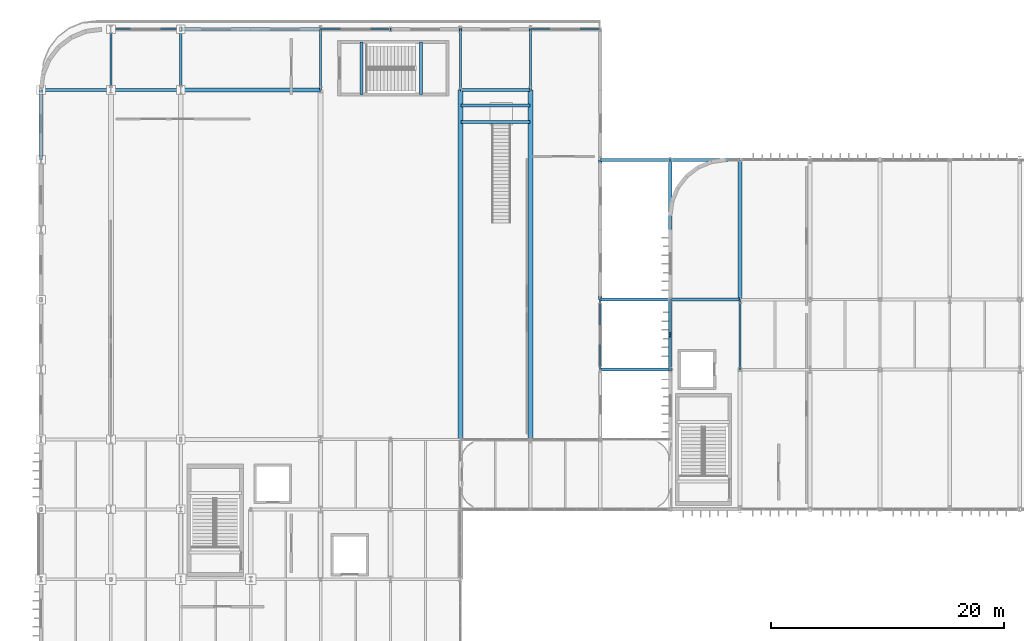
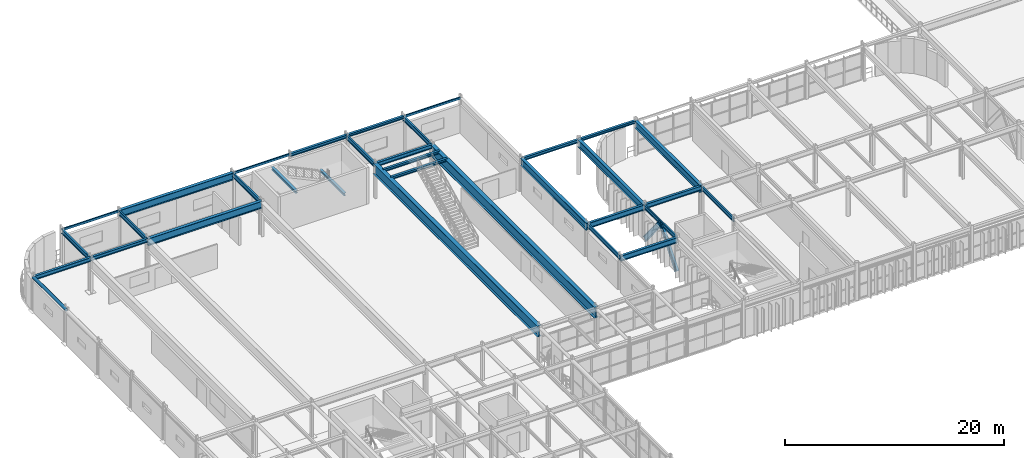
# One storey, part 65 of 116: 33 beams, 2 members.
"""IFC4 building model written with IfcOpenShell, lengths in metres."""

import ifcopenshell
import ifcopenshell.guid

model = None  # the IFC model being written
_history = None  # IfcOwnerHistory: only IFC2X3 demands one
_inside = {}  # id of a spatial element -> (the spatial element, [elements in it])
_under = {}  # id of a project, library or spatial element -> (it, [spatial elements below it])
_declared = {}  # id of a project -> (the project, [libraries it declares])
_typed = {}  # id of a type object -> (the type object, [elements of that type])
_made_of = {}  # id of a material, layer set ... -> (it, [elements and type objects made of it])


def new_model(schema):
    """Start an empty IFC model of exactly this schema.

    Asked for "IFC4X3", IfcOpenShell would pick the latest addendum, in which some entities
    have other attributes; the version numbers below select the first issue.
    IFC2X3 requires an IfcOwnerHistory on every rooted entity: one is made here for all.
    """
    global model, _history
    if schema == "IFC4X3":
        model = ifcopenshell.file(schema_version=(4, 3, 0, 0))
    else:
        model = ifcopenshell.file(schema=schema)
    _inside.clear()
    _under.clear()
    _declared.clear()
    _typed.clear()
    _made_of.clear()
    _history = None
    if model.schema == "IFC2X3":
        org = make("IfcOrganization", Name="unknown")
        user = make(
            "IfcPersonAndOrganization",
            ThePerson=make("IfcPerson", FamilyName="unknown"),
            TheOrganization=org,
        )
        app = make(
            "IfcApplication",
            ApplicationDeveloper=org,
            Version="unknown",
            ApplicationFullName="unknown",
            ApplicationIdentifier="unknown",
        )
        _history = make(
            "IfcOwnerHistory",
            OwningUser=user,
            OwningApplication=app,
            ChangeAction="ADDED",
            CreationDate=0,
        )
    return model


def make(cls, **values):
    """One entity of the class cls with the attributes given. An attribute that is None is left unset."""
    return model.create_entity(
        cls, **{name: value for name, value in values.items() if value is not None}
    )


def rooted(cls, **values):
    """An entity with a GlobalId (a new one), such as an element, a storey or a relation."""
    return make(cls, GlobalId=ifcopenshell.guid.new(), OwnerHistory=_history, **values)


def si_unit(unit_type, name, prefix=None):
    """IfcSIUnit, for example si_unit("LENGTHUNIT", "METRE", prefix="MILLI")."""
    return make("IfcSIUnit", UnitType=unit_type, Prefix=prefix, Name=name)


def assignment(units):
    """IfcUnitAssignment: the units of a project."""
    return None if units is None else make("IfcUnitAssignment", Units=units)


def point(xyz):
    """IfcCartesianPoint."""
    return None if xyz is None else make("IfcCartesianPoint", Coordinates=xyz)


def direction(xyz):
    """IfcDirection."""
    return None if xyz is None else make("IfcDirection", DirectionRatios=xyz)


def frame(location, z_axis=None, x_axis=None):
    """IfcAxis2Placement3D, a coordinate frame: its origin and axes. An axis left out is left unset."""
    return make(
        "IfcAxis2Placement3D",
        Location=point(location),
        Axis=direction(z_axis),
        RefDirection=direction(x_axis),
    )


def frame_2d(location, x_axis=None):
    """IfcAxis2Placement2D, a coordinate frame in the plane: its origin and x axis."""
    return make(
        "IfcAxis2Placement2D", Location=point(location), RefDirection=direction(x_axis)
    )


def origin():
    """The frame at (0, 0, 0) with its axes left unset."""
    return frame((0.0, 0.0, 0.0))


def origin_2d():
    """The frame at (0, 0) in the plane with its x axis left unset."""
    return frame_2d((0.0, 0.0))


def place(relative_to, where):
    """IfcLocalPlacement: puts the frame where relative to a parent placement (None: the world)."""
    return make(
        "IfcLocalPlacement", PlacementRelTo=relative_to, RelativePlacement=where
    )


def context(
    kind, dimensions, precision=None, world=None, true_north=None, identifier=None
):
    """IfcGeometricRepresentationContext, for example the 3D "Model" context."""
    return make(
        "IfcGeometricRepresentationContext",
        ContextIdentifier=identifier,
        ContextType=kind,
        CoordinateSpaceDimension=dimensions,
        Precision=precision,
        WorldCoordinateSystem=world,
        TrueNorth=true_north,
    )


def subcontext(parent, identifier, kind, view, scale=None):
    """IfcGeometricRepresentationSubContext, for example "Body" below "Model"."""
    return make(
        "IfcGeometricRepresentationSubContext",
        ContextIdentifier=identifier,
        ContextType=kind,
        ParentContext=parent,
        TargetScale=scale,
        TargetView=view,
    )


def project(units=None, contexts=None):
    """IfcProject with its units and contexts."""
    return rooted(
        "IfcProject",
        Name="project",
        RepresentationContexts=contexts,
        UnitsInContext=assignment(units),
    )


def spatial(cls, under=None, at=None, **own):
    """A site, building, storey or space (cls), placed at a placement, below another one or the project."""
    s = rooted(cls, ObjectPlacement=at, **own)
    if under is not None:
        _under.setdefault(under.id(), (under, []))[1].append(s)
    return s


def profile(cls, at=None, kind="AREA", **sizes):
    """A parametric profile (cls). Its sizes go by their IFC names, for example OverallWidth=200.0."""
    return make(cls, ProfileType=kind, Position=at, **sizes)


def hollow_rectangle(**sizes):
    """IfcRectangleHollowProfileDef."""
    return profile("IfcRectangleHollowProfileDef", **sizes)


def hollow_circle(**sizes):
    """IfcCircleHollowProfileDef."""
    return profile("IfcCircleHollowProfileDef", **sizes)


def i_section(**sizes):
    """IfcIShapeProfileDef."""
    return profile("IfcIShapeProfileDef", **sizes)


def extrude(swept, where, along, depth):
    """IfcExtrudedAreaSolid: the profile swept, set in the frame where, extruded along a direction by depth."""
    return make(
        "IfcExtrudedAreaSolid",
        SweptArea=swept,
        Position=where,
        ExtrudedDirection=direction(along),
        Depth=depth,
    )


def shape(context_of_items, identifier, shape_type, items):
    """IfcShapeRepresentation: the items that make up one representation, for example the "Body"."""
    return make(
        "IfcShapeRepresentation",
        ContextOfItems=context_of_items,
        RepresentationIdentifier=identifier,
        RepresentationType=shape_type,
        Items=items,
    )


def material(Name=None, Category=None):
    """IfcMaterial."""
    return make("IfcMaterial", Name=Name, Category=Category)


def material_profile(
    of_material, cross_section, Name=None, Category=None, Priority=None
):
    """IfcMaterialProfile: a cross section and its material."""
    return make(
        "IfcMaterialProfile",
        Name=Name,
        Material=of_material,
        Profile=cross_section,
        Priority=Priority,
        Category=Category,
    )


def profile_set(profiles, Name=None, composite=None):
    """IfcMaterialProfileSet."""
    return make(
        "IfcMaterialProfileSet",
        Name=Name,
        MaterialProfiles=profiles,
        CompositeProfile=composite,
    )


def made_of(thing, what):
    """Note that an element or type object is made of a material, layer set ...; save() writes the relation."""
    if what is not None:
        _made_of.setdefault(what.id(), (what, []))[1].append(thing)
    return thing


def type_object(cls, material=None, **own):
    """A type object (cls), such as IfcWallType, which elements share."""
    return made_of(rooted(cls, **own), material)


def element(
    cls,
    number,
    at=None,
    inside=None,
    cuts=None,
    type_object=None,
    material=None,
    context=None,
    identifier="Body",
    shape_type=None,
    held_by="IfcProductDefinitionShape",
    body=None,
    shapes=None,
    **own,
):
    """One element of the class cls, such as IfcWall. Its Tag is "e" and its number.

    at: its placement. inside: the storey or other place that contains it. cuts: it is an
    opening in that element (IfcRelVoidsElement). A single representation is given by context,
    identifier, shape_type and body (its items); several are given by shapes. held_by: the class
    of the entity that holds the representations. save() writes the other relations.
    """
    e = rooted(cls, Tag="e%d" % number, ObjectPlacement=at, **own)
    if body is not None:
        shapes = [shape(context, identifier, shape_type, body)]
    if shapes is not None:
        e.Representation = make(held_by, Representations=shapes)
    if inside is not None:
        _inside.setdefault(inside.id(), (inside, []))[1].append(e)
    if cuts is not None:
        rooted(
            "IfcRelVoidsElement", RelatingBuildingElement=cuts, RelatedOpeningElement=e
        )
    if type_object is not None:
        _typed.setdefault(type_object.id(), (type_object, []))[1].append(e)
    return made_of(e, material)


def aggregate(whole, parts):
    """IfcRelAggregates: a whole, such as a stair, and the parts it consists of."""
    return rooted("IfcRelAggregates", RelatingObject=whole, RelatedObjects=parts)


def save(model, path):
    """Write the relations noted so far, then the file.

    IfcRelAggregates (storeys below a building ...), IfcRelContainedInSpatialStructure (elements
    in a storey), IfcRelDefinesByType, IfcRelAssociatesMaterial and IfcRelDeclares: one each for
    every whole, place, type object, material and project.
    """
    for whole, parts in _under.values():
        aggregate(whole, parts)
    for where, things in _inside.values():
        rooted(
            "IfcRelContainedInSpatialStructure",
            RelatedElements=things,
            RelatingStructure=where,
        )
    for kind, things in _typed.values():
        rooted("IfcRelDefinesByType", RelatedObjects=things, RelatingType=kind)
    for what, things in _made_of.values():
        rooted("IfcRelAssociatesMaterial", RelatedObjects=things, RelatingMaterial=what)
    for by, libraries in _declared.values():
        rooted("IfcRelDeclares", RelatingContext=by, RelatedDefinitions=libraries)
    model.write(path)


model = new_model("IFC4")

# Units and contexts
model_context = context("Model", 3, precision=1e-05, world=origin(), true_north=direction((0.0, 1.0)))
body_context = subcontext(model_context, "Body", "Model", "MODEL_VIEW")
ifc_project = project(units=[si_unit("LENGTHUNIT", "METRE"), si_unit("AREAUNIT", "SQUARE_METRE"), si_unit("VOLUMEUNIT", "CUBIC_METRE"), si_unit("PLANEANGLEUNIT", "RADIAN"), si_unit("MASSUNIT", "GRAM", prefix="KILO")], contexts=[model_context])

# Site, building, storey
site_placement = place(None, origin())
site = spatial("IfcSite", under=ifc_project, at=site_placement, CompositionType="ELEMENT")
building_placement = place(site_placement, origin())
building = spatial("IfcBuilding", under=site, at=building_placement, Name="Varnakota Square Police Headquarters", CompositionType="ELEMENT")
storey_placement = place(building_placement, frame((0.0, 0.0, 9.300048828125)))
storey = spatial("IfcBuildingStorey", under=building, at=storey_placement, Name="L02", CompositionType="ELEMENT", Elevation=9.300048828125)

# Beams
ifc_material = material(Name="Steel IS 2062 Grade 350", Category="steel")
ifc_material_profile_1 = material_profile(ifc_material, hollow_circle(Radius=0.161865234375, WallThickness=0.0126953125, at=origin_2d()), Name="CHS 323.9x12.7")
ifc_profile_set_1 = profile_set([ifc_material_profile_1], Name="Steel IS 2062 Grade 350")
beam_type_1 = type_object("IfcBeamType", Name="BM-ARC-CHS324", PredefinedType="BEAM", material=ifc_profile_set_1)
beam_1_placement = place(storey_placement, frame((6.0, 99.0, 3.738037109375), z_axis=(0.0, 1.0, 0.0), x_axis=(-1.0, 0.0, 0.0)))
element("IfcBeam", 1, at=beam_1_placement, inside=storey, type_object=beam_type_1, Name="BMG-L02-2117", PredefinedType="BEAM", context=body_context, shape_type="SweptSolid", body=[
    extrude(hollow_circle(Radius=0.161865234375, WallThickness=0.0126953125, at=origin_2d()), origin(), (0.0, 0.0, 1.0), 6.0),
])
ifc_material_profile_2 = material_profile(ifc_material, i_section(OverallWidth=0.419921875, OverallDepth=1.199951171875, WebThickness=0.02197265625, FlangeThickness=0.034912109375, at=origin_2d()), Name="BPG 1200x420")
ifc_profile_set_2 = profile_set([ifc_material_profile_2], Name="Steel IS 2062 Grade 350")
beam_type_2 = type_object("IfcBeamType", Name="BM-BPG1200", PredefinedType="BEAM", material=ifc_profile_set_2)
for number, where, z_axis, x_axis, name in (
    (2, (42.0, 75.0, 3.300048828125), (0.0, 1.0, 0.0), (-1.0, 0.0, 0.0), "Clear-span hall girder L02 X=42"),
    (3, (48.0, 75.0, 3.300048828125), (0.0, 1.0, 0.0), (-1.0, 0.0, 0.0), "Clear-span hall girder L02 X=48"),
):
    element("IfcBeam", number, at=place(storey_placement, frame(where, z_axis=z_axis, x_axis=x_axis)), inside=storey, type_object=beam_type_2, Name=name, PredefinedType="BEAM", context=body_context, shape_type="SweptSolid", body=[
        extrude(i_section(OverallWidth=0.419921875, OverallDepth=1.199951171875, WebThickness=0.02197265625, FlangeThickness=0.034912109375, at=origin_2d()), origin(), (0.0, 0.0, 1.0), 30.0),
    ])
ifc_material_profile_3 = material_profile(ifc_material, i_section(OverallWidth=0.320068359375, OverallDepth=0.800048828125, WebThickness=0.01611328125, FlangeThickness=0.028076171875, at=origin_2d()), Name="BPG 800x320")
ifc_profile_set_3 = profile_set([ifc_material_profile_3], Name="Steel IS 2062 Grade 350")
beam_type_3 = type_object("IfcBeamType", Name="BM-BPG800", PredefinedType="BEAM", material=ifc_profile_set_3)
for number, where, z_axis, x_axis, name in (
    (4, (18.0, 105.0, 3.5), (1.0, 0.0, 0.0), (0.0, 1.0, 0.0), "BMG-L02-2083"),
    (5, (18.0, 110.199951171875, 3.5), (1.0, 0.0, 0.0), (0.0, 1.0, 0.0), "BMG-L02-2091"),
    (6, (54.0, 87.0, 3.5), (0.0, 1.0, 0.0), (-1.0, 0.0, 0.0), "BMG-L02-2206"),
    (7, (60.0, 87.0, 3.5), (0.0, 1.0, 0.0), (-1.0, 0.0, 0.0), "BMG-L02-2210"),
    (8, (66.0, 87.0, 3.5), (0.0, 1.0, 0.0), (-1.0, 0.0, 0.0), "BMG-L02-2213"),
):
    element("IfcBeam", number, at=place(storey_placement, frame(where, z_axis=z_axis, x_axis=x_axis)), inside=storey, type_object=beam_type_3, Name=name, PredefinedType="BEAM", context=body_context, shape_type="SweptSolid", body=[
        extrude(i_section(OverallWidth=0.320068359375, OverallDepth=0.800048828125, WebThickness=0.01611328125, FlangeThickness=0.028076171875, at=origin_2d()), origin(), (0.0, 0.0, 1.0), 12.0),
    ])
ifc_material_profile_4 = material_profile(ifc_material, hollow_rectangle(XDim=0.14990234375, YDim=0.25, WallThickness=0.010009765625, InnerFilletRadius=0.010009765625, OuterFilletRadius=0.02001953125, at=origin_2d()), Name="RHS 250x150x10")
ifc_profile_set_4 = profile_set([ifc_material_profile_4], Name="Steel IS 2062 Grade 350")
beam_type_4 = type_object("IfcBeamType", Name="BM-CBEAM-RHS250", PredefinedType="BEAM", material=ifc_profile_set_4)
for number, where, z_axis, x_axis, name in (
    (9, (12.0, 110.199951171875, 3.77490234375), (1.0, 0.0, 0.0), (0.0, 1.0, 0.0), "BMG-L02-2090"),
    (10, (30.0, 110.199951171875, 3.77490234375), (1.0, 0.0, 0.0), (0.0, 1.0, 0.0), "BMG-L02-2092"),
    (11, (48.0, 110.199951171875, 3.77490234375), (1.0, 0.0, 0.0), (0.0, 1.0, 0.0), "BMG-L02-2095"),
):
    element("IfcBeam", number, at=place(storey_placement, frame(where, z_axis=z_axis, x_axis=x_axis)), inside=storey, type_object=beam_type_4, Name=name, PredefinedType="BEAM", context=body_context, shape_type="SweptSolid", body=[
        extrude(hollow_rectangle(XDim=0.14990234375, YDim=0.25, WallThickness=0.010009765625, InnerFilletRadius=0.010009765625, OuterFilletRadius=0.02001953125, at=origin_2d()), origin(), (0.0, 0.0, 1.0), 6.0),
    ])
ifc_material_profile_5 = material_profile(ifc_material, i_section(OverallWidth=0.25, OverallDepth=0.300048828125, WebThickness=0.009521484375, FlangeThickness=0.010498046875, FilletRadius=0.011962890625, at=origin_2d()), Name="ISHB 300")
ifc_profile_set_5 = profile_set([ifc_material_profile_5], Name="Steel IS 2062 Grade 350")
beam_type_5 = type_object("IfcBeamType", Name="BM-ISHB300", PredefinedType="BEAM", material=ifc_profile_set_5)
for number, where, z_axis, x_axis, name in (
    (12, (60.0, 99.0, 3.75), (1.0, 0.0, 0.0), (0.0, 1.0, 0.0), "BMG-L02-2068"),
    (13, (42.0, 110.199951171875, 3.75), (1.0, 0.0, 0.0), (0.0, 1.0, 0.0), "BMG-L02-2094"),
):
    element("IfcBeam", number, at=place(storey_placement, frame(where, z_axis=z_axis, x_axis=x_axis)), inside=storey, type_object=beam_type_5, Name=name, PredefinedType="BEAM", context=body_context, shape_type="SweptSolid", body=[
        extrude(i_section(OverallWidth=0.25, OverallDepth=0.300048828125, WebThickness=0.009521484375, FlangeThickness=0.010498046875, FilletRadius=0.011962890625, at=origin_2d()), origin(), (0.0, 0.0, 1.0), 6.0),
    ])
for number, where, z_axis, x_axis, name in (
    (14, (42.050048828125, 102.25, 3.849853515625), (1.0, 0.0, 0.0), (0.0, 1.0, 0.0), "Gymnasium stair landing front trimmer L02"),
    (15, (42.050048828125, 103.64990234375, 3.849853515625), (1.0, 0.0, 0.0), (0.0, 1.0, 0.0), "Gymnasium stair landing rear trimmer L02"),
):
    element("IfcBeam", number, at=place(storey_placement, frame(where, z_axis=z_axis, x_axis=x_axis)), inside=storey, type_object=beam_type_5, Name=name, PredefinedType="BEAM", context=body_context, shape_type="SweptSolid", body=[
        extrude(i_section(OverallWidth=0.25, OverallDepth=0.300048828125, WebThickness=0.009521484375, FlangeThickness=0.010498046875, FilletRadius=0.011962890625, at=origin_2d()), origin(), (0.0, 0.0, 1.0), 5.89990234375),
    ])
for number, where, z_axis, x_axis, name in (
    (16, (38.6005859375, 104.60009765625, 1.7919921875), (0.0, 1.0, 0.0), (-1.0, 0.0, 0.0), "Stair landing support beam BM-LND-0085"),
    (17, (33.5, 104.60009765625, 3.849853515625), (0.0, 1.0, 0.0), (-1.0, 0.0, 0.0), "Stair landing support beam BM-LND-0086"),
):
    element("IfcBeam", number, at=place(storey_placement, frame(where, z_axis=z_axis, x_axis=x_axis)), inside=storey, type_object=beam_type_5, Name=name, PredefinedType="BEAM", context=body_context, shape_type="SweptSolid", body=[
        extrude(i_section(OverallWidth=0.25, OverallDepth=0.300048828125, WebThickness=0.009521484375, FlangeThickness=0.010498046875, FilletRadius=0.011962890625, at=origin_2d()), origin(), (0.0, 0.0, 1.0), 4.5),
    ])
ifc_material_profile_6 = material_profile(ifc_material, i_section(OverallWidth=0.25, OverallDepth=0.35009765625, WebThickness=0.010009765625, FlangeThickness=0.01171875, FilletRadius=0.011962890625, at=origin_2d()), Name="ISHB 350")
ifc_profile_set_6 = profile_set([ifc_material_profile_6], Name="Steel IS 2062 Grade 350")
beam_type_6 = type_object("IfcBeamType", Name="BM-ISHB350", PredefinedType="BEAM", material=ifc_profile_set_6)
for number, where, z_axis, x_axis, name in (
    (18, (54.0, 99.0, 3.724853515625), (1.0, 0.0, 0.0), (0.0, 1.0, 0.0), "BMG-L02-2067"),
    (19, (36.0, 110.199951171875, 3.724853515625), (1.0, 0.0, 0.0), (0.0, 1.0, 0.0), "BMG-L02-2093"),
):
    element("IfcBeam", number, at=place(storey_placement, frame(where, z_axis=z_axis, x_axis=x_axis)), inside=storey, type_object=beam_type_6, Name=name, PredefinedType="BEAM", context=body_context, shape_type="SweptSolid", body=[
        extrude(i_section(OverallWidth=0.25, OverallDepth=0.35009765625, WebThickness=0.010009765625, FlangeThickness=0.01171875, FilletRadius=0.011962890625, at=origin_2d()), origin(), (0.0, 0.0, 1.0), 6.0),
    ])
ifc_material_profile_7 = material_profile(ifc_material, i_section(OverallWidth=0.25, OverallDepth=0.39990234375, WebThickness=0.010498046875, FlangeThickness=0.0126953125, FilletRadius=0.013916015625, at=origin_2d()), Name="ISHB 400")
ifc_profile_set_7 = profile_set([ifc_material_profile_7], Name="Steel IS 2062 Grade 350")
beam_type_7 = type_object("IfcBeamType", Name="BM-ISHB400", PredefinedType="BEAM", material=ifc_profile_set_7)
beam_2_placement = place(storey_placement, frame((12.0, 105.0, 3.699951171875), z_axis=(1.0, 0.0, 0.0), x_axis=(0.0, 1.0, 0.0)))
element("IfcBeam", 20, at=beam_2_placement, inside=storey, type_object=beam_type_7, Name="BMG-L02-2082", PredefinedType="BEAM", context=body_context, shape_type="SweptSolid", body=[
    extrude(i_section(OverallWidth=0.25, OverallDepth=0.39990234375, WebThickness=0.010498046875, FlangeThickness=0.0126953125, FilletRadius=0.013916015625, at=origin_2d()), origin(), (0.0, 0.0, 1.0), 6.0),
])
ifc_material_profile_8 = material_profile(ifc_material, i_section(OverallWidth=0.25, OverallDepth=0.449951171875, WebThickness=0.01123046875, FlangeThickness=0.013671875, FilletRadius=0.014892578125, at=origin_2d()), Name="ISHB 450")
ifc_profile_set_8 = profile_set([ifc_material_profile_8], Name="Steel IS 2062 Grade 350")
beam_type_8 = type_object("IfcBeamType", Name="BM-ISHB450", PredefinedType="BEAM", material=ifc_profile_set_8)
for number, where, z_axis, x_axis, name in (
    (21, (6.0, 105.0, 3.675048828125), (1.0, 0.0, 0.0), (0.0, 1.0, 0.0), "BMG-L02-2081"),
    (22, (42.0, 105.0, 3.675048828125), (1.0, 0.0, 0.0), (0.0, 1.0, 0.0), "BMG-L02-2084"),
):
    element("IfcBeam", number, at=place(storey_placement, frame(where, z_axis=z_axis, x_axis=x_axis)), inside=storey, type_object=beam_type_8, Name=name, PredefinedType="BEAM", context=body_context, shape_type="SweptSolid", body=[
        extrude(i_section(OverallWidth=0.25, OverallDepth=0.449951171875, WebThickness=0.01123046875, FlangeThickness=0.013671875, FilletRadius=0.014892578125, at=origin_2d()), origin(), (0.0, 0.0, 1.0), 6.0),
    ])
ifc_material_profile_9 = material_profile(ifc_material, i_section(OverallWidth=0.14990234375, OverallDepth=0.449951171875, WebThickness=0.009521484375, FlangeThickness=0.017333984375, FilletRadius=0.014892578125, at=origin_2d()), Name="ISMB 450")
ifc_profile_set_9 = profile_set([ifc_material_profile_9], Name="Steel IS 2062 Grade 350")
beam_type_9 = type_object("IfcBeamType", Name="BM-ISMB450", PredefinedType="BEAM", material=ifc_profile_set_9)
for number, where, z_axis, x_axis, name in (
    (23, (54.0, 81.0, 3.675048828125), (0.0, 1.0, 0.0), (-1.0, 0.0, 0.0), "BMG-L02-2205"),
    (24, (60.0, 81.0, 3.675048828125), (0.0, 1.0, 0.0), (-1.0, 0.0, 0.0), "BMG-L02-2209"),
    (25, (66.0, 81.0, 3.675048828125), (0.0, 1.0, 0.0), (-1.0, 0.0, 0.0), "BMG-L02-2212"),
):
    element("IfcBeam", number, at=place(storey_placement, frame(where, z_axis=z_axis, x_axis=x_axis)), inside=storey, type_object=beam_type_9, Name=name, PredefinedType="BEAM", context=body_context, shape_type="SweptSolid", body=[
        extrude(i_section(OverallWidth=0.14990234375, OverallDepth=0.449951171875, WebThickness=0.009521484375, FlangeThickness=0.017333984375, FilletRadius=0.014892578125, at=origin_2d()), origin(), (0.0, 0.0, 1.0), 6.0),
    ])
ifc_material_profile_10 = material_profile(ifc_material, i_section(OverallWidth=0.179931640625, OverallDepth=0.5, WebThickness=0.01025390625, FlangeThickness=0.01708984375, FilletRadius=0.01708984375, at=origin_2d()), Name="ISMB 500")
ifc_profile_set_10 = profile_set([ifc_material_profile_10], Name="Steel IS 2062 Grade 350")
beam_type_10 = type_object("IfcBeamType", Name="BM-ISMB500", PredefinedType="BEAM", material=ifc_profile_set_10)
for number, where, z_axis, x_axis, name in (
    (26, (12.0, 105.0, 3.64990234375), (0.0, 1.0, 0.0), (-1.0, 0.0, 0.0), "BMG-L02-2131"),
    (27, (18.0, 105.0, 3.64990234375), (0.0, 1.0, 0.0), (-1.0, 0.0, 0.0), "BMG-L02-2145"),
    (28, (30.0, 105.0, 3.64990234375), (0.0, 1.0, 0.0), (-1.0, 0.0, 0.0), "BMG-L02-2167"),
    (29, (42.0, 105.0, 3.64990234375), (0.0, 1.0, 0.0), (-1.0, 0.0, 0.0), "BMG-L02-2193"),
    (30, (48.0, 105.0, 3.64990234375), (0.0, 1.0, 0.0), (-1.0, 0.0, 0.0), "BMG-L02-2199"),
):
    element("IfcBeam", number, at=place(storey_placement, frame(where, z_axis=z_axis, x_axis=x_axis)), inside=storey, type_object=beam_type_10, Name=name, PredefinedType="BEAM", context=body_context, shape_type="SweptSolid", body=[
        extrude(i_section(OverallWidth=0.179931640625, OverallDepth=0.5, WebThickness=0.01025390625, FlangeThickness=0.01708984375, FilletRadius=0.01708984375, at=origin_2d()), origin(), (0.0, 0.0, 1.0), 5.199951171875),
    ])
ifc_material_profile_11 = material_profile(ifc_material, i_section(OverallWidth=0.25, OverallDepth=0.5, WebThickness=0.010009765625, FlangeThickness=0.0146484375, FilletRadius=0.014892578125, at=origin_2d()), Name="ISWB 500")
ifc_profile_set_11 = profile_set([ifc_material_profile_11], Name="Steel IS 2062 Grade 350")
beam_type_11 = type_object("IfcBeamType", Name="BM-ISWB500", PredefinedType="BEAM", material=ifc_profile_set_11)
beam_3_placement = place(storey_placement, frame((60.0, 87.0, 3.64990234375), z_axis=(1.0, 0.0, 0.0), x_axis=(0.0, 1.0, 0.0)))
element("IfcBeam", 31, at=beam_3_placement, inside=storey, type_object=beam_type_11, Name="BMG-L02-2054", PredefinedType="BEAM", context=body_context, shape_type="SweptSolid", body=[
    extrude(i_section(OverallWidth=0.25, OverallDepth=0.5, WebThickness=0.010009765625, FlangeThickness=0.0146484375, FilletRadius=0.014892578125, at=origin_2d()), origin(), (0.0, 0.0, 1.0), 6.0),
])
ifc_material_profile_12 = material_profile(ifc_material, i_section(OverallWidth=0.25, OverallDepth=0.60009765625, WebThickness=0.01171875, FlangeThickness=0.023681640625, FilletRadius=0.01708984375, at=origin_2d()), Name="ISWB 600")
ifc_profile_set_12 = profile_set([ifc_material_profile_12], Name="Steel IS 2062 Grade 350")
beam_type_12 = type_object("IfcBeamType", Name="BM-ISWB600", PredefinedType="BEAM", material=ifc_profile_set_12)
for number, where, z_axis, x_axis, name in (
    (32, (54.0, 81.0, 3.599853515625), (1.0, 0.0, 0.0), (0.0, 1.0, 0.0), "BMG-L02-2040"),
    (33, (54.0, 87.0, 3.599853515625), (1.0, 0.0, 0.0), (0.0, 1.0, 0.0), "BMG-L02-2053"),
):
    element("IfcBeam", number, at=place(storey_placement, frame(where, z_axis=z_axis, x_axis=x_axis)), inside=storey, type_object=beam_type_12, Name=name, PredefinedType="BEAM", context=body_context, shape_type="SweptSolid", body=[
        extrude(i_section(OverallWidth=0.25, OverallDepth=0.60009765625, WebThickness=0.01171875, FlangeThickness=0.023681640625, FilletRadius=0.01708984375, at=origin_2d()), origin(), (0.0, 0.0, 1.0), 6.0),
    ])

# Members
ifc_material_profile_13 = material_profile(ifc_material, i_section(OverallWidth=0.25, OverallDepth=0.5, WebThickness=0.010009765625, FlangeThickness=0.0146484375, FilletRadius=0.014892578125, at=origin_2d()), Name="ISWB 500")
ifc_profile_set_13 = profile_set([ifc_material_profile_13], Name="Steel IS 2062 Grade 350")
member_type = type_object("IfcMemberType", Name="MEM-BR-ISWB500", PredefinedType="BRACE", material=ifc_profile_set_13)
for number, where, z_axis, x_axis, name in (
    (34, (60.0, 81.050048828125, 0.02001953125), (0.0, 0.630679081609, 0.776043746203), (-1.0, 0.0, 0.0), "Lateral brace BF5 L02 left"),
    (35, (60.0, 86.949951171875, 0.02001953125), (0.0, -0.630679081609, 0.776043746203), (1.0, 0.0, 0.0), "Lateral brace BF5 L02 right"),
):
    element("IfcMember", number, at=place(storey_placement, frame(where, z_axis=z_axis, x_axis=x_axis)), inside=storey, type_object=member_type, Name=name, PredefinedType="BRACE", context=body_context, shape_type="SweptSolid", body=[
        extrude(i_section(OverallWidth=0.25, OverallDepth=0.5, WebThickness=0.010009765625, FlangeThickness=0.0146484375, FilletRadius=0.014892578125, at=origin_2d()), origin(), (0.0, 0.0, 1.0), 4.677490234375),
    ])

save(model, "model.ifc")
